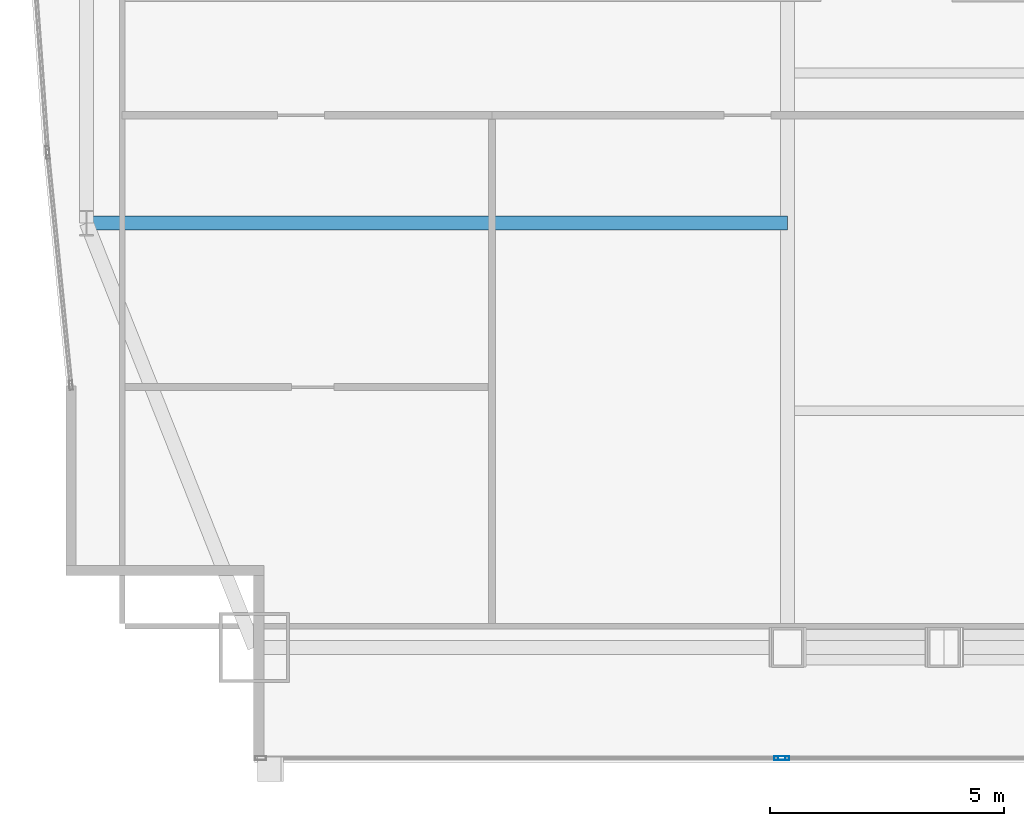
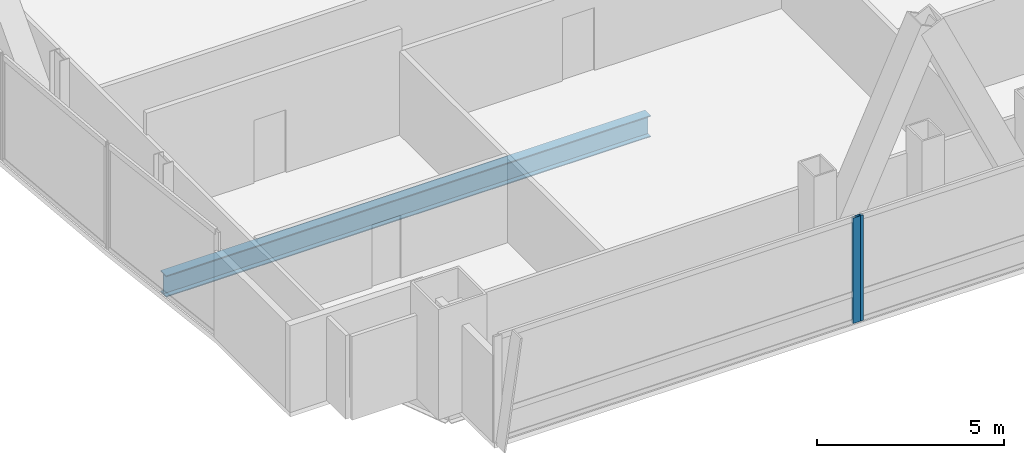
# One storey, part 7 of 31: 2 members, 1 beam, 2 elements without a shape of their own.
"""IFC4 building model written with IfcOpenShell, lengths in metres."""

from ifc_helpers import new_model, si_unit, direction, frame, origin, origin_2d, place, context, subcontext, project, spatial, hollow_rectangle, i_section, extrude, material, material_profile, profile_set, type_object, element, aggregate, save


model = new_model("IFC4")

# Units and contexts
model_context = context("Model", 3, precision=1e-05, world=origin(), true_north=direction((0.0, 1.0)))
body_context = subcontext(model_context, "Body", "Model", "MODEL_VIEW")
ifc_project = project(units=[si_unit("LENGTHUNIT", "METRE"), si_unit("AREAUNIT", "SQUARE_METRE"), si_unit("VOLUMEUNIT", "CUBIC_METRE"), si_unit("PLANEANGLEUNIT", "RADIAN"), si_unit("MASSUNIT", "GRAM", prefix="KILO")], contexts=[model_context])

# Site, building, storey
site_placement = place(None, origin())
site = spatial("IfcSite", under=ifc_project, at=site_placement, CompositionType="ELEMENT")
building_placement = place(site_placement, origin())
building = spatial("IfcBuilding", under=site, at=building_placement, Name="Khoronbel Lancet Exchange", CompositionType="ELEMENT")
storey_placement = place(building_placement, frame((0.0, 0.0, 129.0)))
storey = spatial("IfcBuildingStorey", under=building, at=storey_placement, Name="L31", CompositionType="ELEMENT", Elevation=129.0)

# Beam
ifc_material_1 = material(Name="Steel S355", Category="steel")
ifc_material_profile_1 = material_profile(ifc_material_1, i_section(OverallWidth=0.300048828125, OverallDepth=0.699951171875, WebThickness=0.01708984375, FlangeThickness=0.031982421875, at=origin_2d()), Name="HEB 700")
ifc_profile_set_1 = profile_set([ifc_material_profile_1], Name="Steel S355")
beam_type = type_object("IfcBeamType", Name="BM-BG3", PredefinedType="BEAM", material=ifc_profile_set_1)
beam_placement = place(storey_placement, frame((3.27001953125, 19.199951171875, -0.510009765625), z_axis=(1.0, 0.0, 0.0), x_axis=(0.0, 1.0, 0.0)))
element("IfcBeam", 1, at=beam_placement, inside=storey, type_object=beam_type, Name="Level L31 west lens tie girder LG1W", PredefinedType="BEAM", context=body_context, shape_type="SweptSolid", body=[
    extrude(i_section(OverallWidth=0.300048828125, OverallDepth=0.699951171875, WebThickness=0.01708984375, FlangeThickness=0.031982421875, at=origin_2d()), origin(), (0.0, 0.0, 1.0), 14.955078125),
])

# Curtain wall, member
ifc_material_2 = material(Name="Low-E Solar Control Insulating Glass", Category="glass")
curtain_wall_type = type_object("IfcCurtainWallType", Name="CW-2", PredefinedType="NOTDEFINED", material=ifc_material_2)
curtain_wall_1_placement = place(storey_placement, origin())
curtain_wall_1 = element("IfcCurtainWall", 2, at=curtain_wall_1_placement, inside=storey, type_object=curtain_wall_type, Name="Unitised curtain wall CW-L31-SWV", PredefinedType="NOTDEFINED")
ifc_material_3 = material(Name="Bronze-Anodised Aluminium 6063-T6", Category="aluminium")
ifc_material_profile_2 = material_profile(ifc_material_3, hollow_rectangle(XDim=0.0849609375, YDim=0.239990234375, WallThickness=0.006103515625, at=origin_2d()), Name="ALU MULLION 85x240")
ifc_profile_set_2 = profile_set([ifc_material_profile_2], Name="Bronze-Anodised Aluminium 6063-T6")
member_type = type_object("IfcMemberType", Name="MEM-CWM1", PredefinedType="MULLION", material=ifc_profile_set_2)
member_1_placement = place(storey_placement, frame((18.0576171875, 7.7900390625, 0.0), z_axis=(0.0, 0.0, 1.0), x_axis=(0.0, 1.0, 0.0)))
member_1 = element("IfcMember", 3, at=member_1_placement, type_object=member_type, Name="CW2 mullion 2", PredefinedType="MULLION", context=body_context, shape_type="SweptSolid", body=[
    extrude(hollow_rectangle(XDim=0.0849609375, YDim=0.239990234375, WallThickness=0.006103515625, at=origin_2d()), origin(), (0.0, 0.0, 1.0), 3.43994140625),
])
aggregate(curtain_wall_1, [member_1])

curtain_wall_2_placement = place(storey_placement, origin())
curtain_wall_2 = element("IfcCurtainWall", 4, at=curtain_wall_2_placement, inside=storey, type_object=curtain_wall_type, Name="Unitised curtain wall CW-L31-SWB", PredefinedType="NOTDEFINED")
member_2_placement = place(storey_placement, frame((18.142578125, 7.7900390625, 0.0), z_axis=(0.0, 0.0, 1.0), x_axis=(0.0, 1.0, 0.0)))
member_2 = element("IfcMember", 5, at=member_2_placement, type_object=member_type, Name="CW2 mullion 1", PredefinedType="MULLION", context=body_context, shape_type="SweptSolid", body=[
    extrude(hollow_rectangle(XDim=0.0849609375, YDim=0.239990234375, WallThickness=0.006103515625, at=origin_2d()), origin(), (0.0, 0.0, 1.0), 3.43994140625),
])
aggregate(curtain_wall_2, [member_2])

save(model, "model.ifc")
